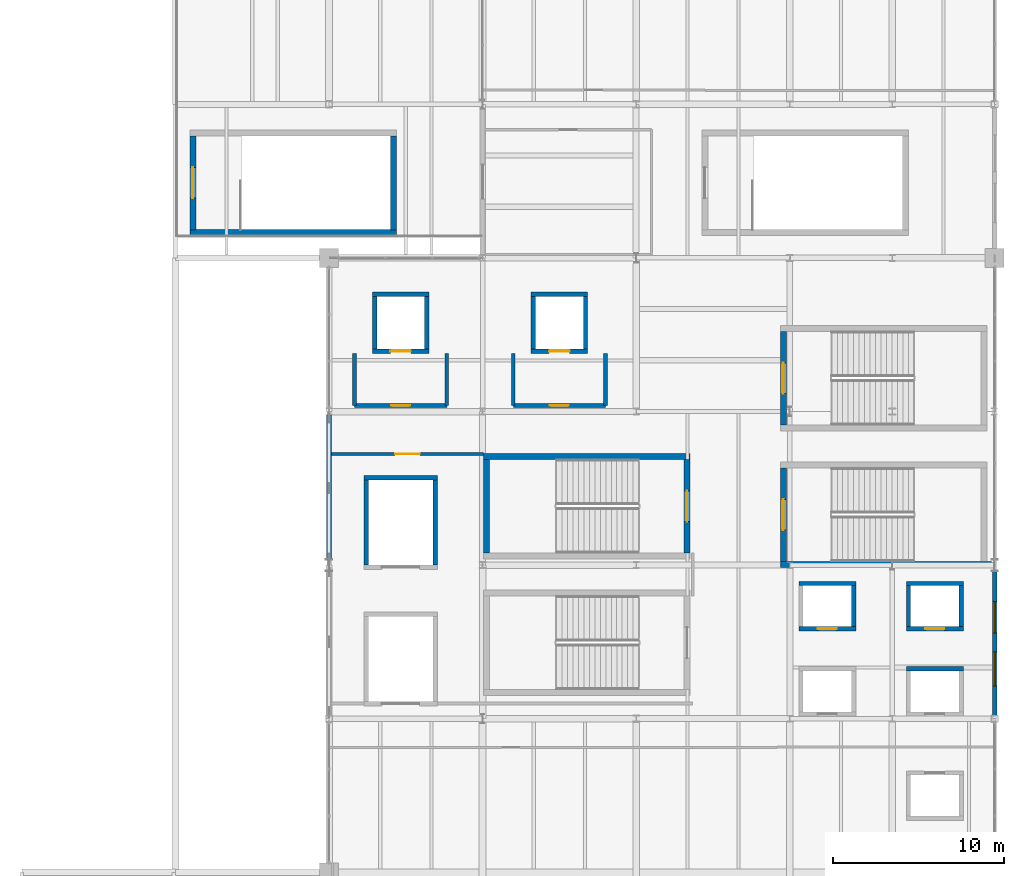
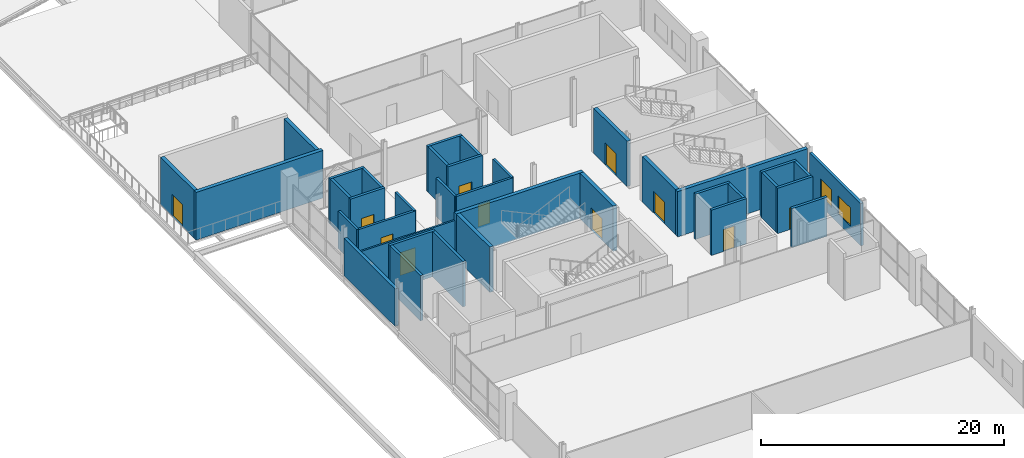
# One storey, part 41 of 50: 37 walls, 11 doors, 2 windows, 13 openings.
"""IFC4 building model written with IfcOpenShell, lengths in metres."""

from ifc_helpers import new_model, si_unit, direction, frame, frame_2d, origin, place, context, subcontext, project, spatial, rectangle, extrude, material, layer, layer_set, type_object, element, fill, save


model = new_model("IFC4")

# Units and contexts
model_context = context("Model", 3, precision=1e-05, world=origin(), true_north=direction((0.0, 1.0)))
body_context = subcontext(model_context, "Body", "Model", "MODEL_VIEW")
ifc_project = project(units=[si_unit("LENGTHUNIT", "METRE"), si_unit("AREAUNIT", "SQUARE_METRE"), si_unit("VOLUMEUNIT", "CUBIC_METRE"), si_unit("PLANEANGLEUNIT", "RADIAN"), si_unit("MASSUNIT", "GRAM", prefix="KILO")], contexts=[model_context])

# Site, building, storey
site_placement = place(None, origin())
site = spatial("IfcSite", under=ifc_project, at=site_placement, CompositionType="ELEMENT")
building_placement = place(site_placement, origin())
building = spatial("IfcBuilding", under=site, at=building_placement, Name="Qamarlyn Nura Convention Centre", CompositionType="ELEMENT")
storey_placement = place(building_placement, frame((0.0, 0.0, 20.39990234375)))
storey = spatial("IfcBuildingStorey", under=building, at=storey_placement, Name="L04", CompositionType="ELEMENT", Elevation=20.39990234375)

# Wall, opening, door
ifc_material_1 = material(Name="Fire-rated acoustic gypsum board and mineral wool EI 120")
ifc_layer_1 = layer(ifc_material_1, 0.219970703125, Name="WT-COMP-220")
ifc_layer_set_1 = layer_set([ifc_layer_1], Name="Fire-rated acoustic gypsum board and mineral wool EI 120")
wall_type_1 = type_object("IfcWallType", Name="WT-COMP-220", PredefinedType="SOLIDWALL", material=ifc_layer_set_1)
wall_1_placement = place(storey_placement, frame((154.5, 72.35009765625, 0.0), z_axis=(0.0, 0.0, 1.0), x_axis=(1.0, 0.0, 0.0)))
wall_1 = element("IfcWall", 1, at=wall_1_placement, inside=storey, type_object=wall_type_1, Name="L04 firefighting lobby barrier wall FFL-03-OPP", PredefinedType="SOLIDWALL", context=body_context, shape_type="SweptSolid", body=[
    extrude(rectangle(XDim=5.39990234375, YDim=0.219970703125, at=frame_2d((2.699951171875, 0.0))), origin(), (0.0, 0.0, 1.0), 3.772216796875),
])
opening_1_placement = place(wall_1_placement, frame((2.139892578125, 0.0, 0.0)))
opening_1 = element("IfcOpeningElement", 2, at=opening_1_placement, cuts=wall_1, Name="Opening DF-122", PredefinedType="OPENING", context=body_context, shape_type="SweptSolid", body=[
    extrude(rectangle(XDim=1.1201171875, YDim=2.199951171875, at=frame_2d((0.56005859375, 1.10009765625))), frame((0.0, 0.1201171875, 0.0), z_axis=(0.0, -1.0, 0.0), x_axis=(1.0, 0.0, 0.0)), (0.0, 0.0, 1.0), 0.239990234375),
])
ifc_material_2 = material(Name="Galvanised fire-rated hollow steel door", Category="steel")
door_type_1 = type_object("IfcDoorType", Name="DR-FFL-1120", OperationType="NOTDEFINED", PredefinedType="DOOR", material=ifc_material_2)
door_1_placement = place(opening_1_placement, origin())
door_1 = element("IfcDoor", 3, at=door_1_placement, inside=storey, type_object=door_type_1, Name="L04 firefighting lobby door FFL-03 (DF-122)", OperationType="SINGLE_SWING_RIGHT", OverallHeight=2.199951171875, OverallWidth=1.1201171875, PredefinedType="DOOR", context=body_context, shape_type="SweptSolid", body=[
    extrude(rectangle(XDim=1.1201171875, YDim=2.199951171875, at=frame_2d((0.56005859375, 1.10009765625))), frame((0.0, 0.02490234375, 0.0), z_axis=(0.0, -1.0, 0.0), x_axis=(1.0, 0.0, 0.0)), (0.0, 0.0, 1.0), 0.050048828125),
])
fill(opening_1, door_1)

# Walls
for number, where, z_axis, x_axis, name in (
    (4, (154.5, 72.35009765625, 0.0), (0.0, 0.0, 1.0), (0.0, 1.0, 0.0), "L04 firefighting lobby barrier wall FFL-03-W"),
    (5, (159.89990234375, 72.35009765625, 0.0), (0.0, 0.0, 1.0), (0.0, 1.0, 0.0), "L04 firefighting lobby barrier wall FFL-03-E"),
):
    element("IfcWall", number, at=place(storey_placement, frame(where, z_axis=z_axis, x_axis=x_axis)), inside=storey, type_object=wall_type_1, Name=name, PredefinedType="SOLIDWALL", context=body_context, shape_type="SweptSolid", body=[
        extrude(rectangle(XDim=3.0498046875, YDim=0.219970703125, at=frame_2d((1.52490234375, 0.0))), origin(), (0.0, 0.0, 1.0), 3.772216796875),
    ])

# Wall, opening, door
wall_2_placement = place(storey_placement, frame((163.800048828125, 72.35009765625, 0.0), z_axis=(0.0, 0.0, 1.0), x_axis=(1.0, 0.0, 0.0)))
wall_2 = element("IfcWall", 6, at=wall_2_placement, inside=storey, type_object=wall_type_1, Name="L04 firefighting lobby barrier wall FFL-04-OPP", PredefinedType="SOLIDWALL", context=body_context, shape_type="SweptSolid", body=[
    extrude(rectangle(XDim=5.39990234375, YDim=0.219970703125, at=frame_2d((2.699951171875, 0.0))), origin(), (0.0, 0.0, 1.0), 3.85009765625),
])
opening_2_placement = place(wall_2_placement, frame((2.139892578125, 0.0, 0.0)))
opening_2 = element("IfcOpeningElement", 7, at=opening_2_placement, cuts=wall_2, Name="Opening DF-129", PredefinedType="OPENING", context=body_context, shape_type="SweptSolid", body=[
    extrude(rectangle(XDim=1.1201171875, YDim=2.199951171875, at=frame_2d((0.56005859375, 1.10009765625))), frame((0.0, 0.1201171875, 0.0), z_axis=(0.0, -1.0, 0.0), x_axis=(1.0, 0.0, 0.0)), (0.0, 0.0, 1.0), 0.239990234375),
])
door_2_placement = place(opening_2_placement, origin())
door_2 = element("IfcDoor", 8, at=door_2_placement, inside=storey, type_object=door_type_1, Name="L04 firefighting lobby door FFL-04 (DF-129)", OperationType="SINGLE_SWING_LEFT", OverallHeight=2.199951171875, OverallWidth=1.1201171875, PredefinedType="DOOR", context=body_context, shape_type="SweptSolid", body=[
    extrude(rectangle(XDim=1.1201171875, YDim=2.199951171875, at=frame_2d((0.56005859375, 1.10009765625))), frame((0.0, 0.02490234375, 0.0), z_axis=(0.0, -1.0, 0.0), x_axis=(1.0, 0.0, 0.0)), (0.0, 0.0, 1.0), 0.050048828125),
])
fill(opening_2, door_2)

# Walls
for number, where, z_axis, x_axis, name in (
    (9, (163.800048828125, 72.35009765625, 0.0), (0.0, 0.0, 1.0), (0.0, 1.0, 0.0), "L04 firefighting lobby barrier wall FFL-04-W"),
    (10, (169.199951171875, 72.35009765625, 0.0), (0.0, 0.0, 1.0), (0.0, 1.0, 0.0), "L04 firefighting lobby barrier wall FFL-04-E"),
):
    element("IfcWall", number, at=place(storey_placement, frame(where, z_axis=z_axis, x_axis=x_axis)), inside=storey, type_object=wall_type_1, Name=name, PredefinedType="SOLIDWALL", context=body_context, shape_type="SweptSolid", body=[
        extrude(rectangle(XDim=3.0498046875, YDim=0.219970703125, at=frame_2d((1.52490234375, 0.0))), origin(), (0.0, 0.0, 1.0), 3.85009765625),
    ])
ifc_material_3 = material(Name="Concrete C50/60", Category="concrete")
ifc_layer_2 = layer(ifc_material_3, 0.35009765625, Name="WT-CORE-350")
ifc_layer_set_2 = layer_set([ifc_layer_2], Name="Concrete C50/60")
wall_type_2 = type_object("IfcWallType", Name="WT-CORE-350", PredefinedType="SHEAR", material=ifc_layer_set_2)
wall_3_placement = place(storey_placement, frame((174.14990234375, 69.375, 0.0), z_axis=(0.0, 0.0, 1.0), x_axis=(-1.0, 0.0, 0.0)))
element("IfcWall", 11, at=wall_3_placement, inside=storey, type_object=wall_type_2, Name="L04 stair core shear wall ST-12-N", PredefinedType="SHEAR", context=body_context, shape_type="SweptSolid", body=[
    extrude(rectangle(XDim=12.099853515625, YDim=0.35009765625, at=frame_2d((6.0498046875, 0.0))), origin(), (0.0, 0.0, 1.0), 4.56005859375),
])
wall_4_placement = place(storey_placement, frame((162.22509765625, 69.199951171875, 0.0), z_axis=(0.0, 0.0, 1.0), x_axis=(0.0, -1.0, 0.0)))
element("IfcWall", 12, at=wall_4_placement, inside=storey, type_object=wall_type_2, Name="L04 stair core shear wall ST-12-W", PredefinedType="SHEAR", context=body_context, shape_type="SweptSolid", body=[
    extrude(rectangle(XDim=5.5, YDim=0.35009765625, at=frame_2d((2.75, 0.0))), origin(), (0.0, 0.0, 1.0), 4.56005859375),
])

# Wall, opening, door
wall_5_placement = place(storey_placement, frame((173.97509765625, 63.699951171875, 0.0), z_axis=(0.0, 0.0, 1.0), x_axis=(0.0, 1.0, 0.0)))
wall_5 = element("IfcWall", 13, at=wall_5_placement, inside=storey, type_object=wall_type_2, Name="L04 stair core shear wall ST-12-E", PredefinedType="SHEAR", context=body_context, shape_type="SweptSolid", body=[
    extrude(rectangle(XDim=5.5, YDim=0.35009765625, at=frame_2d((2.75, 0.0))), origin(), (0.0, 0.0, 1.0), 4.56005859375),
])
opening_3_placement = place(wall_5_placement, frame((1.85009765625, 0.0, 0.0)))
opening_3 = element("IfcOpeningElement", 14, at=opening_3_placement, cuts=wall_5, Name="Opening DS-055", PredefinedType="OPENING", context=body_context, shape_type="SweptSolid", body=[
    extrude(rectangle(XDim=1.800048828125, YDim=2.199951171875, at=frame_2d((0.89990234375, 1.10009765625))), frame((0.0, 0.18505859375, 0.0), z_axis=(0.0, -1.0, 0.0), x_axis=(1.0, 0.0, 0.0)), (0.0, 0.0, 1.0), 0.3701171875),
])
door_type_2 = type_object("IfcDoorType", Name="DR-STAIR-1800", OperationType="DOUBLE_DOOR_SINGLE_SWING", PredefinedType="DOOR", material=ifc_material_2)
door_3_placement = place(opening_3_placement, origin())
door_3 = element("IfcDoor", 15, at=door_3_placement, inside=storey, type_object=door_type_2, Name="L04 exit stair door ST-12 (DS-055)", OperationType="DOUBLE_DOOR_SINGLE_SWING", OverallHeight=2.199951171875, OverallWidth=1.800048828125, PredefinedType="DOOR", context=body_context, shape_type="SweptSolid", body=[
    extrude(rectangle(XDim=1.800048828125, YDim=2.199951171875, at=frame_2d((0.89990234375, 1.10009765625))), frame((0.0, 0.02490234375, 0.0), z_axis=(0.0, -1.0, 0.0), x_axis=(1.0, 0.0, 0.0)), (0.0, 0.0, 1.0), 0.050048828125),
])
fill(opening_3, door_3)

# Wall
wall_6_placement = place(storey_placement, frame((179.449951171875, 63.02490234375, 0.0), z_axis=(0.0, 0.0, 1.0), x_axis=(1.0, 0.0, 0.0)))
element("IfcWall", 16, at=wall_6_placement, inside=storey, type_object=wall_type_2, Name="L04 stair core shear wall ST-13-S", PredefinedType="SHEAR", context=body_context, shape_type="SweptSolid", body=[
    extrude(rectangle(XDim=12.37255859375, YDim=0.35009765625, at=frame_2d((6.186279296875, 0.0))), origin(), (0.0, 0.0, 1.0), 4.56005859375),
])

# Wall, opening, door
wall_7_placement = place(storey_placement, frame((179.625, 68.699951171875, 0.0), z_axis=(0.0, 0.0, 1.0), x_axis=(0.0, -1.0, 0.0)))
wall_7 = element("IfcWall", 17, at=wall_7_placement, inside=storey, type_object=wall_type_2, Name="L04 stair core shear wall ST-13-W", PredefinedType="SHEAR", context=body_context, shape_type="SweptSolid", body=[
    extrude(rectangle(XDim=5.5, YDim=0.35009765625, at=frame_2d((2.75, 0.0))), origin(), (0.0, 0.0, 1.0), 4.56005859375),
])
opening_4_placement = place(wall_7_placement, frame((1.85009765625, 0.0, 0.0)))
opening_4 = element("IfcOpeningElement", 18, at=opening_4_placement, cuts=wall_7, Name="Opening DS-062", PredefinedType="OPENING", context=body_context, shape_type="SweptSolid", body=[
    extrude(rectangle(XDim=1.800048828125, YDim=2.199951171875, at=frame_2d((0.89990234375, 1.10009765625))), frame((0.0, 0.18505859375, 0.0), z_axis=(0.0, -1.0, 0.0), x_axis=(1.0, 0.0, 0.0)), (0.0, 0.0, 1.0), 0.3701171875),
])
door_4_placement = place(opening_4_placement, origin())
door_4 = element("IfcDoor", 19, at=door_4_placement, inside=storey, type_object=door_type_2, Name="L04 exit stair door ST-13 (DS-062)", OperationType="DOUBLE_DOOR_SINGLE_SWING", OverallHeight=2.199951171875, OverallWidth=1.800048828125, PredefinedType="DOOR", context=body_context, shape_type="SweptSolid", body=[
    extrude(rectangle(XDim=1.800048828125, YDim=2.199951171875, at=frame_2d((0.89990234375, 1.10009765625))), frame((0.0, 0.02490234375, 0.0), z_axis=(0.0, -1.0, 0.0), x_axis=(1.0, 0.0, 0.0)), (0.0, 0.0, 1.0), 0.050048828125),
])
fill(opening_4, door_4)

wall_8_placement = place(storey_placement, frame((179.625, 76.699951171875, 0.0), z_axis=(0.0, 0.0, 1.0), x_axis=(0.0, -1.0, 0.0)))
wall_8 = element("IfcWall", 20, at=wall_8_placement, inside=storey, type_object=wall_type_2, Name="L04 stair core shear wall ST-14-W", PredefinedType="SHEAR", context=body_context, shape_type="SweptSolid", body=[
    extrude(rectangle(XDim=5.5, YDim=0.35009765625, at=frame_2d((2.75, 0.0))), origin(), (0.0, 0.0, 1.0), 4.56005859375),
])
opening_5_placement = place(wall_8_placement, frame((1.85009765625, 0.0, 0.0)))
opening_5 = element("IfcOpeningElement", 21, at=opening_5_placement, cuts=wall_8, Name="Opening DS-069", PredefinedType="OPENING", context=body_context, shape_type="SweptSolid", body=[
    extrude(rectangle(XDim=1.800048828125, YDim=2.199951171875, at=frame_2d((0.89990234375, 1.10009765625))), frame((0.0, 0.18505859375, 0.0), z_axis=(0.0, -1.0, 0.0), x_axis=(1.0, 0.0, 0.0)), (0.0, 0.0, 1.0), 0.3701171875),
])
door_5_placement = place(opening_5_placement, origin())
door_5 = element("IfcDoor", 22, at=door_5_placement, inside=storey, type_object=door_type_2, Name="L04 exit stair door ST-14 (DS-069)", OperationType="DOUBLE_DOOR_SINGLE_SWING", OverallHeight=2.199951171875, OverallWidth=1.800048828125, PredefinedType="DOOR", context=body_context, shape_type="SweptSolid", body=[
    extrude(rectangle(XDim=1.800048828125, YDim=2.199951171875, at=frame_2d((0.89990234375, 1.10009765625))), frame((0.0, 0.02490234375, 0.0), z_axis=(0.0, -1.0, 0.0), x_axis=(1.0, 0.0, 0.0)), (0.0, 0.0, 1.0), 0.050048828125),
])
fill(opening_5, door_5)

# Wall
wall_9_placement = place(storey_placement, frame((144.85009765625, 82.47509765625, 0.0), z_axis=(0.0, 0.0, 1.0), x_axis=(1.0, 0.0, 0.0)))
element("IfcWall", 23, at=wall_9_placement, inside=storey, type_object=wall_type_2, Name="L04 stair core shear wall ST-15-S", PredefinedType="SHEAR", context=body_context, shape_type="SweptSolid", body=[
    extrude(rectangle(XDim=12.099853515625, YDim=0.35009765625, at=frame_2d((6.0498046875, 0.0))), origin(), (0.0, 0.0, 1.0), 4.800048828125),
])

# Wall, opening, door
wall_10_placement = place(storey_placement, frame((145.02490234375, 88.14990234375, 0.0), z_axis=(0.0, 0.0, 1.0), x_axis=(0.0, -1.0, 0.0)))
wall_10 = element("IfcWall", 24, at=wall_10_placement, inside=storey, type_object=wall_type_2, Name="L04 stair core shear wall ST-15-W", PredefinedType="SHEAR", context=body_context, shape_type="SweptSolid", body=[
    extrude(rectangle(XDim=5.5, YDim=0.35009765625, at=frame_2d((2.75, 0.0))), origin(), (0.0, 0.0, 1.0), 4.800048828125),
])
opening_6_placement = place(wall_10_placement, frame((1.85009765625, 0.0, 0.0)))
opening_6 = element("IfcOpeningElement", 25, at=opening_6_placement, cuts=wall_10, Name="Opening DS-076", PredefinedType="OPENING", context=body_context, shape_type="SweptSolid", body=[
    extrude(rectangle(XDim=1.800048828125, YDim=2.199951171875, at=frame_2d((0.89990234375, 1.10009765625))), frame((0.0, 0.18505859375, 0.0), z_axis=(0.0, -1.0, 0.0), x_axis=(1.0, 0.0, 0.0)), (0.0, 0.0, 1.0), 0.3701171875),
])
door_6_placement = place(opening_6_placement, origin())
door_6 = element("IfcDoor", 26, at=door_6_placement, inside=storey, type_object=door_type_2, Name="L04 exit stair door ST-15 (DS-076)", OperationType="DOUBLE_DOOR_SINGLE_SWING", OverallHeight=2.199951171875, OverallWidth=1.800048828125, PredefinedType="DOOR", context=body_context, shape_type="SweptSolid", body=[
    extrude(rectangle(XDim=1.800048828125, YDim=2.199951171875, at=frame_2d((0.89990234375, 1.10009765625))), frame((0.0, 0.02490234375, 0.0), z_axis=(0.0, -1.0, 0.0), x_axis=(1.0, 0.0, 0.0)), (0.0, 0.0, 1.0), 0.050048828125),
])
fill(opening_6, door_6)

# Wall
wall_11_placement = place(storey_placement, frame((156.77490234375, 82.64990234375, 0.0), z_axis=(0.0, 0.0, 1.0), x_axis=(0.0, 1.0, 0.0)))
element("IfcWall", 27, at=wall_11_placement, inside=storey, type_object=wall_type_2, Name="L04 stair core shear wall ST-15-E", PredefinedType="SHEAR", context=body_context, shape_type="SweptSolid", body=[
    extrude(rectangle(XDim=5.5, YDim=0.35009765625, at=frame_2d((2.75, 0.0))), origin(), (0.0, 0.0, 1.0), 4.56005859375),
])

# Wall, openings, windows
ifc_material_4 = material(Name="Concrete C40/50", Category="concrete")
ifc_layer_3 = layer(ifc_material_4, 0.260009765625, Name="WT-EXT-260")
ifc_layer_set_3 = layer_set([ifc_layer_3], Name="Concrete C40/50")
wall_type_3 = type_object("IfcWallType", Name="WT-EXT-260", PredefinedType="SOLIDWALL", material=ifc_layer_set_3)
wall_12_placement = place(storey_placement, frame((192.0, 62.652587890625, 0.0), z_axis=(0.0, 0.0, 1.0), x_axis=(0.0, -1.0, 0.0)))
wall_12 = element("IfcWall", 28, at=wall_12_placement, inside=storey, type_object=wall_type_3, Name="L04 exterior facade wall WEXT-L04-1920-627-1920-542", PredefinedType="SOLIDWALL", context=body_context, shape_type="SweptSolid", body=[
    extrude(rectangle(XDim=8.45263671875, YDim=0.260009765625, at=frame_2d((4.226318359375, 0.0))), origin(), (0.0, 0.0, 1.0), 4.2451171875),
])
opening_7_placement = place(wall_12_placement, frame((1.7880859375, 0.0, 0.949951171875)))
opening_7 = element("IfcOpeningElement", 29, at=opening_7_placement, cuts=wall_12, Name="Opening WN04", PredefinedType="OPENING", context=body_context, shape_type="SweptSolid", body=[
    extrude(rectangle(XDim=1.85009765625, YDim=1.800048828125, at=frame_2d((0.925048828125, 0.89990234375))), frame((0.0, 0.14013671875, 0.0), z_axis=(0.0, -1.0, 0.0), x_axis=(1.0, 0.0, 0.0)), (0.0, 0.0, 1.0), 0.280029296875),
])
opening_8_placement = place(wall_12_placement, frame((4.739501953125, 0.0, 0.949951171875)))
opening_8 = element("IfcOpeningElement", 30, at=opening_8_placement, cuts=wall_12, Name="Opening WN05", PredefinedType="OPENING", context=body_context, shape_type="SweptSolid", body=[
    extrude(rectangle(XDim=2.0, YDim=1.85009765625, at=frame_2d((1.0, 0.925048828125))), frame((0.0, 0.14013671875, 0.0), z_axis=(0.0, -1.0, 0.0), x_axis=(1.0, 0.0, 0.0)), (0.0, 0.0, 1.0), 0.280029296875),
])
ifc_material_5 = material(Name="Double-silver low-E insulated glass", Category="glass")
window_type_1 = type_object("IfcWindowType", Name="WIN-SOL-04", PartitioningType="SINGLE_PANEL", PredefinedType="WINDOW", material=ifc_material_5)
window_1_placement = place(opening_7_placement, origin())
window_1 = element("IfcWindow", 31, at=window_1_placement, inside=storey, type_object=window_type_1, Name="L04 solar-control window 052", OverallHeight=1.800048828125, OverallWidth=1.85009765625, PartitioningType="SINGLE_PANEL", PredefinedType="WINDOW", context=body_context, shape_type="SweptSolid", body=[
    extrude(rectangle(XDim=1.85009765625, YDim=1.800048828125, at=frame_2d((0.925048828125, 0.89990234375))), frame((0.0, 0.030029296875, 0.0), z_axis=(0.0, -1.0, 0.0), x_axis=(1.0, 0.0, 0.0)), (0.0, 0.0, 1.0), 0.06005859375),
])
fill(opening_7, window_1)
window_type_2 = type_object("IfcWindowType", Name="WIN-SOL-05", PartitioningType="SINGLE_PANEL", PredefinedType="WINDOW", material=ifc_material_5)
window_2_placement = place(opening_8_placement, origin())
window_2 = element("IfcWindow", 32, at=window_2_placement, inside=storey, type_object=window_type_2, Name="L04 solar-control window 053", OverallHeight=1.85009765625, OverallWidth=2.0, PartitioningType="SINGLE_PANEL", PredefinedType="WINDOW", context=body_context, shape_type="SweptSolid", body=[
    extrude(rectangle(XDim=2.0, YDim=1.85009765625, at=frame_2d((1.0, 0.925048828125))), frame((0.0, 0.030029296875, 0.0), z_axis=(0.0, -1.0, 0.0), x_axis=(1.0, 0.0, 0.0)), (0.0, 0.0, 1.0), 0.06005859375),
])
fill(opening_8, window_2)

# Wall
ifc_material_6 = material(Name="Concrete C40/50 with UAE coastal limestone stone facing", Category="masonry")
ifc_layer_4 = layer(ifc_material_6, 0.300048828125, Name="WT-LIME-300")
ifc_layer_set_4 = layer_set([ifc_layer_4], Name="Concrete C40/50 with UAE coastal limestone stone facing")
wall_type_4 = type_object("IfcWallType", Name="WT-LIME-300", PredefinedType="SOLIDWALL", material=ifc_layer_set_4)
wall_13_placement = place(storey_placement, frame((153.0, 63.347412109375, 0.0), z_axis=(0.0, 0.0, 1.0), x_axis=(0.0, 1.0, 0.0)))
element("IfcWall", 33, at=wall_13_placement, inside=storey, type_object=wall_type_4, Name="L04 exterior facade wall WEXT-L04-1530-633-1530-718", PredefinedType="SOLIDWALL", context=body_context, shape_type="SweptSolid", body=[
    extrude(rectangle(XDim=8.440185546875, YDim=0.300048828125, at=frame_2d((4.22021484375, 0.0))), origin(), (0.0, 0.0, 1.0), 3.772216796875),
])

# Wall, opening, door
ifc_material_7 = material(Name="Fire-rated acoustic gypsum board EI 60")
ifc_layer_5 = layer(ifc_material_7, 0.159912109375, Name="WT-PART-160")
ifc_layer_set_5 = layer_set([ifc_layer_5], Name="Fire-rated acoustic gypsum board EI 60")
wall_type_5 = type_object("IfcWallType", Name="WT-PART-160", PredefinedType="PARTITIONING", material=ifc_layer_set_5)
wall_14_placement = place(storey_placement, frame((153.14990234375, 69.510009765625, 0.0), z_axis=(0.0, 0.0, 1.0), x_axis=(1.0, 0.0, 0.0)))
wall_14 = element("IfcWall", 34, at=wall_14_placement, inside=storey, type_object=wall_type_5, Name="L04 interior partition L04-PAN-EXEC-1-1", PredefinedType="PARTITIONING", context=body_context, shape_type="SweptSolid", body=[
    extrude(rectangle(XDim=8.900146484375, YDim=0.159912109375, at=frame_2d((4.4501953125, 0.0))), origin(), (0.0, 0.0, 1.0), 3.772216796875),
])
opening_9_placement = place(wall_14_placement, frame((3.72509765625, 0.0, 0.0)))
opening_9 = element("IfcOpeningElement", 35, at=opening_9_placement, cuts=wall_14, Name="Opening D-L04-210", PredefinedType="OPENING", context=body_context, shape_type="SweptSolid", body=[
    extrude(rectangle(XDim=1.449951171875, YDim=2.300048828125, at=frame_2d((0.72509765625, 1.14990234375))), frame((0.0, 0.08984375, 0.0), z_axis=(0.0, -1.0, 0.0), x_axis=(1.0, 0.0, 0.0)), (0.0, 0.0, 1.0), 0.179931640625),
])
ifc_material_8 = material(Name="Acoustic walnut timber leaf", Category="wood")
door_type_3 = type_object("IfcDoorType", Name="DR-CONF-1450", OperationType="DOUBLE_DOOR_SINGLE_SWING", PredefinedType="DOOR", material=ifc_material_8)
door_7_placement = place(opening_9_placement, origin())
door_7 = element("IfcDoor", 36, at=door_7_placement, inside=storey, type_object=door_type_3, Name="L04 Executive Catering Pantry door D-L04-210", OperationType="DOUBLE_DOOR_SINGLE_SWING", OverallHeight=2.300048828125, OverallWidth=1.449951171875, PredefinedType="DOOR", context=body_context, shape_type="SweptSolid", body=[
    extrude(rectangle(XDim=1.449951171875, YDim=2.300048828125, at=frame_2d((0.72509765625, 1.14990234375))), frame((0.0, 0.02490234375, 0.0), z_axis=(0.0, -1.0, 0.0), x_axis=(1.0, 0.0, 0.0)), (0.0, 0.0, 1.0), 0.050048828125),
])
fill(opening_9, door_7)

ifc_layer_6 = layer(ifc_material_1, 0.25, Name="WT-SHAFT-250")
ifc_layer_set_6 = layer_set([ifc_layer_6], Name="Fire-rated acoustic gypsum board and mineral wool EI 120")
wall_type_6 = type_object("IfcWallType", Name="WT-SHAFT-250", PredefinedType="SOLIDWALL", material=ifc_layer_set_6)
wall_15_placement = place(storey_placement, frame((155.550048828125, 75.52490234375, 0.0), z_axis=(0.0, 0.0, 1.0), x_axis=(1.0, 0.0, 0.0)))
wall_15 = element("IfcWall", 37, at=wall_15_placement, inside=storey, type_object=wall_type_6, Name="L04 lift shaft enclosure wall FFL-03 -y", PredefinedType="SOLIDWALL", context=body_context, shape_type="SweptSolid", body=[
    extrude(rectangle(XDim=3.300048828125, YDim=0.25, at=frame_2d((1.64990234375, 0.0))), origin(), (0.0, 0.0, 1.0), 4.56005859375),
])
opening_10_placement = place(wall_15_placement, frame((1.050048828125, 0.0, 0.0)))
opening_10 = element("IfcOpeningElement", 38, at=opening_10_placement, cuts=wall_15, Name="Opening LD-FFL-03-L04", PredefinedType="OPENING", context=body_context, shape_type="SweptSolid", body=[
    extrude(rectangle(XDim=1.199951171875, YDim=2.25, at=frame_2d((0.60009765625, 1.125))), frame((0.0, 0.135009765625, 0.0), z_axis=(0.0, -1.0, 0.0), x_axis=(1.0, 0.0, 0.0)), (0.0, 0.0, 1.0), 0.27001953125),
])
ifc_material_9 = material(Name="Marine Grade 316 stainless steel", Category="steel")
door_type_4 = type_object("IfcDoorType", Name="DR-LD-FFL", OperationType="DOUBLE_DOOR_SLIDING", PredefinedType="DOOR", material=ifc_material_9)
door_8_placement = place(opening_10_placement, origin())
door_8 = element("IfcDoor", 39, at=door_8_placement, inside=storey, type_object=door_type_4, Name="Lift landing door LD-FFL-03-L04", OperationType="DOUBLE_DOOR_SLIDING", OverallHeight=2.25, OverallWidth=1.199951171875, PredefinedType="DOOR", context=body_context, shape_type="SweptSolid", body=[
    extrude(rectangle(XDim=1.199951171875, YDim=2.25, at=frame_2d((0.60009765625, 1.125))), frame((0.0, 0.02490234375, 0.0), z_axis=(0.0, -1.0, 0.0), x_axis=(1.0, 0.0, 0.0)), (0.0, 0.0, 1.0), 0.050048828125),
])
fill(opening_10, door_8)

# Walls
wall_16_placement = place(storey_placement, frame((158.85009765625, 78.875, 0.0), z_axis=(0.0, 0.0, 1.0), x_axis=(-1.0, 0.0, 0.0)))
element("IfcWall", 40, at=wall_16_placement, inside=storey, type_object=wall_type_6, Name="L04 lift shaft enclosure wall FFL-03 +y", PredefinedType="SOLIDWALL", context=body_context, shape_type="SweptSolid", body=[
    extrude(rectangle(XDim=3.300048828125, YDim=0.25, at=frame_2d((1.64990234375, 0.0))), origin(), (0.0, 0.0, 1.0), 4.56005859375),
])
for number, where, z_axis, x_axis, name in (
    (41, (155.675048828125, 78.75, 0.0), (0.0, 0.0, 1.0), (0.0, -1.0, 0.0), "L04 lift shaft enclosure wall FFL-03 -x"),
    (42, (158.72509765625, 75.64990234375, 0.0), (0.0, 0.0, 1.0), (0.0, 1.0, 0.0), "L04 lift shaft enclosure wall FFL-03 +x"),
):
    element("IfcWall", number, at=place(storey_placement, frame(where, z_axis=z_axis, x_axis=x_axis)), inside=storey, type_object=wall_type_6, Name=name, PredefinedType="SOLIDWALL", context=body_context, shape_type="SweptSolid", body=[
        extrude(rectangle(XDim=3.10009765625, YDim=0.25, at=frame_2d((1.550048828125, 0.0))), origin(), (0.0, 0.0, 1.0), 4.56005859375),
    ])

# Wall, opening, door
wall_17_placement = place(storey_placement, frame((164.85009765625, 75.52490234375, 0.0), z_axis=(0.0, 0.0, 1.0), x_axis=(1.0, 0.0, 0.0)))
wall_17 = element("IfcWall", 43, at=wall_17_placement, inside=storey, type_object=wall_type_6, Name="L04 lift shaft enclosure wall FFL-04 -y", PredefinedType="SOLIDWALL", context=body_context, shape_type="SweptSolid", body=[
    extrude(rectangle(XDim=3.2998046875, YDim=0.25, at=frame_2d((1.64990234375, 0.0))), origin(), (0.0, 0.0, 1.0), 4.56005859375),
])
opening_11_placement = place(wall_17_placement, frame((1.050048828125, 0.0, 0.0)))
opening_11 = element("IfcOpeningElement", 44, at=opening_11_placement, cuts=wall_17, Name="Opening LD-FFL-04-L04", PredefinedType="OPENING", context=body_context, shape_type="SweptSolid", body=[
    extrude(rectangle(XDim=1.199951171875, YDim=2.25, at=frame_2d((0.60009765625, 1.125))), frame((0.0, 0.135009765625, 0.0), z_axis=(0.0, -1.0, 0.0), x_axis=(1.0, 0.0, 0.0)), (0.0, 0.0, 1.0), 0.27001953125),
])
door_9_placement = place(opening_11_placement, origin())
door_9 = element("IfcDoor", 45, at=door_9_placement, inside=storey, type_object=door_type_4, Name="Lift landing door LD-FFL-04-L04", OperationType="DOUBLE_DOOR_SLIDING", OverallHeight=2.25, OverallWidth=1.199951171875, PredefinedType="DOOR", context=body_context, shape_type="SweptSolid", body=[
    extrude(rectangle(XDim=1.199951171875, YDim=2.25, at=frame_2d((0.60009765625, 1.125))), frame((0.0, 0.02490234375, 0.0), z_axis=(0.0, -1.0, 0.0), x_axis=(1.0, 0.0, 0.0)), (0.0, 0.0, 1.0), 0.050048828125),
])
fill(opening_11, door_9)

# Walls
wall_18_placement = place(storey_placement, frame((168.14990234375, 78.875, 0.0), z_axis=(0.0, 0.0, 1.0), x_axis=(-1.0, 0.0, 0.0)))
element("IfcWall", 46, at=wall_18_placement, inside=storey, type_object=wall_type_6, Name="L04 lift shaft enclosure wall FFL-04 +y", PredefinedType="SOLIDWALL", context=body_context, shape_type="SweptSolid", body=[
    extrude(rectangle(XDim=3.2998046875, YDim=0.25, at=frame_2d((1.64990234375, 0.0))), origin(), (0.0, 0.0, 1.0), 4.56005859375),
])
for number, where, z_axis, x_axis, name in (
    (47, (164.97509765625, 78.75, 0.0), (0.0, 0.0, 1.0), (0.0, -1.0, 0.0), "L04 lift shaft enclosure wall FFL-04 -x"),
    (48, (168.02490234375, 75.64990234375, 0.0), (0.0, 0.0, 1.0), (0.0, 1.0, 0.0), "L04 lift shaft enclosure wall FFL-04 +x"),
):
    element("IfcWall", number, at=place(storey_placement, frame(where, z_axis=z_axis, x_axis=x_axis)), inside=storey, type_object=wall_type_6, Name=name, PredefinedType="SOLIDWALL", context=body_context, shape_type="SweptSolid", body=[
        extrude(rectangle(XDim=3.10009765625, YDim=0.25, at=frame_2d((1.550048828125, 0.0))), origin(), (0.0, 0.0, 1.0), 4.56005859375),
    ])

# Wall, opening, door
wall_19_placement = place(storey_placement, frame((180.52490234375, 59.27490234375, 0.0), z_axis=(0.0, 0.0, 1.0), x_axis=(1.0, 0.0, 0.0)))
wall_19 = element("IfcWall", 49, at=wall_19_placement, inside=storey, type_object=wall_type_6, Name="L04 lift shaft enclosure wall PL-01 -y", PredefinedType="SOLIDWALL", context=body_context, shape_type="SweptSolid", body=[
    extrude(rectangle(XDim=3.35009765625, YDim=0.25, at=frame_2d((1.675048828125, 0.0))), origin(), (0.0, 0.0, 1.0), 4.56005859375),
])
opening_12_placement = place(wall_19_placement, frame((1.125, 0.0, 0.0)))
opening_12 = element("IfcOpeningElement", 50, at=opening_12_placement, cuts=wall_19, Name="Opening LD-PL-01-L04", PredefinedType="OPENING", context=body_context, shape_type="SweptSolid", body=[
    extrude(rectangle(XDim=1.10009765625, YDim=2.199951171875, at=frame_2d((0.550048828125, 1.10009765625))), frame((0.0, 0.135009765625, 0.0), z_axis=(0.0, -1.0, 0.0), x_axis=(1.0, 0.0, 0.0)), (0.0, 0.0, 1.0), 0.27001953125),
])
door_type_5 = type_object("IfcDoorType", Name="DR-LD-PAX", OperationType="DOUBLE_DOOR_SLIDING", PredefinedType="DOOR", material=ifc_material_9)
door_10_placement = place(opening_12_placement, origin())
door_10 = element("IfcDoor", 51, at=door_10_placement, inside=storey, type_object=door_type_5, Name="Lift landing door LD-PL-01-L04", OperationType="DOUBLE_DOOR_SLIDING", OverallHeight=2.199951171875, OverallWidth=1.10009765625, PredefinedType="DOOR", context=body_context, shape_type="SweptSolid", body=[
    extrude(rectangle(XDim=1.10009765625, YDim=2.199951171875, at=frame_2d((0.550048828125, 1.10009765625))), frame((0.0, 0.02490234375, 0.0), z_axis=(0.0, -1.0, 0.0), x_axis=(1.0, 0.0, 0.0)), (0.0, 0.0, 1.0), 0.050048828125),
])
fill(opening_12, door_10)

# Walls
wall_20_placement = place(storey_placement, frame((183.875, 61.925048828125, 0.0), z_axis=(0.0, 0.0, 1.0), x_axis=(-1.0, 0.0, 0.0)))
element("IfcWall", 52, at=wall_20_placement, inside=storey, type_object=wall_type_6, Name="L04 lift shaft enclosure wall PL-01 +y", PredefinedType="SOLIDWALL", context=body_context, shape_type="SweptSolid", body=[
    extrude(rectangle(XDim=3.35009765625, YDim=0.25, at=frame_2d((1.675048828125, 0.0))), origin(), (0.0, 0.0, 1.0), 4.56005859375),
])
wall_21_placement = place(storey_placement, frame((183.75, 59.39990234375, 0.0), z_axis=(0.0, 0.0, 1.0), x_axis=(0.0, 1.0, 0.0)))
element("IfcWall", 53, at=wall_21_placement, inside=storey, type_object=wall_type_6, Name="L04 lift shaft enclosure wall PL-01 +x", PredefinedType="SOLIDWALL", context=body_context, shape_type="SweptSolid", body=[
    extrude(rectangle(XDim=2.400146484375, YDim=0.25, at=frame_2d((1.2001953125, 0.0))), origin(), (0.0, 0.0, 1.0), 4.56005859375),
])

# Wall, opening, door
wall_22_placement = place(storey_placement, frame((186.824951171875, 59.27490234375, 0.0), z_axis=(0.0, 0.0, 1.0), x_axis=(1.0, 0.0, 0.0)))
wall_22 = element("IfcWall", 54, at=wall_22_placement, inside=storey, type_object=wall_type_6, Name="L04 lift shaft enclosure wall PL-02 -y", PredefinedType="SOLIDWALL", context=body_context, shape_type="SweptSolid", body=[
    extrude(rectangle(XDim=3.35009765625, YDim=0.25, at=frame_2d((1.675048828125, 0.0))), origin(), (0.0, 0.0, 1.0), 4.56005859375),
])
opening_13_placement = place(wall_22_placement, frame((1.125, 0.0, 0.0)))
opening_13 = element("IfcOpeningElement", 55, at=opening_13_placement, cuts=wall_22, Name="Opening LD-PL-02-L04", PredefinedType="OPENING", context=body_context, shape_type="SweptSolid", body=[
    extrude(rectangle(XDim=1.10009765625, YDim=2.199951171875, at=frame_2d((0.550048828125, 1.10009765625))), frame((0.0, 0.135009765625, 0.0), z_axis=(0.0, -1.0, 0.0), x_axis=(1.0, 0.0, 0.0)), (0.0, 0.0, 1.0), 0.27001953125),
])
door_11_placement = place(opening_13_placement, origin())
door_11 = element("IfcDoor", 56, at=door_11_placement, inside=storey, type_object=door_type_5, Name="Lift landing door LD-PL-02-L04", OperationType="DOUBLE_DOOR_SLIDING", OverallHeight=2.199951171875, OverallWidth=1.10009765625, PredefinedType="DOOR", context=body_context, shape_type="SweptSolid", body=[
    extrude(rectangle(XDim=1.10009765625, YDim=2.199951171875, at=frame_2d((0.550048828125, 1.10009765625))), frame((0.0, 0.02490234375, 0.0), z_axis=(0.0, -1.0, 0.0), x_axis=(1.0, 0.0, 0.0)), (0.0, 0.0, 1.0), 0.050048828125),
])
fill(opening_13, door_11)

# Walls
wall_23_placement = place(storey_placement, frame((190.175048828125, 61.925048828125, 0.0), z_axis=(0.0, 0.0, 1.0), x_axis=(-1.0, 0.0, 0.0)))
element("IfcWall", 57, at=wall_23_placement, inside=storey, type_object=wall_type_6, Name="L04 lift shaft enclosure wall PL-02 +y", PredefinedType="SOLIDWALL", context=body_context, shape_type="SweptSolid", body=[
    extrude(rectangle(XDim=3.35009765625, YDim=0.25, at=frame_2d((1.675048828125, 0.0))), origin(), (0.0, 0.0, 1.0), 4.56005859375),
])
for number, where, z_axis, x_axis, name in (
    (58, (186.949951171875, 61.800048828125, 0.0), (0.0, 0.0, 1.0), (0.0, -1.0, 0.0), "L04 lift shaft enclosure wall PL-02 -x"),
    (59, (190.050048828125, 59.39990234375, 0.0), (0.0, 0.0, 1.0), (0.0, 1.0, 0.0), "L04 lift shaft enclosure wall PL-02 +x"),
):
    element("IfcWall", number, at=place(storey_placement, frame(where, z_axis=z_axis, x_axis=x_axis)), inside=storey, type_object=wall_type_6, Name=name, PredefinedType="SOLIDWALL", context=body_context, shape_type="SweptSolid", body=[
        extrude(rectangle(XDim=2.400146484375, YDim=0.25, at=frame_2d((1.2001953125, 0.0))), origin(), (0.0, 0.0, 1.0), 4.56005859375),
    ])
wall_24_placement = place(storey_placement, frame((190.175048828125, 56.925048828125, 0.0), z_axis=(0.0, 0.0, 1.0), x_axis=(-1.0, 0.0, 0.0)))
element("IfcWall", 60, at=wall_24_placement, inside=storey, type_object=wall_type_6, Name="L04 lift shaft enclosure wall PL-04 +y", PredefinedType="SOLIDWALL", context=body_context, shape_type="SweptSolid", body=[
    extrude(rectangle(XDim=3.35009765625, YDim=0.25, at=frame_2d((1.675048828125, 0.0))), origin(), (0.0, 0.0, 1.0), 3.93701171875),
])
wall_25_placement = place(storey_placement, frame((159.35009765625, 68.125, 0.0), z_axis=(0.0, 0.0, 1.0), x_axis=(-1.0, 0.0, 0.0)))
element("IfcWall", 61, at=wall_25_placement, inside=storey, type_object=wall_type_6, Name="L04 lift shaft enclosure wall FL-04 +y", PredefinedType="SOLIDWALL", context=body_context, shape_type="SweptSolid", body=[
    extrude(rectangle(XDim=4.300048828125, YDim=0.25, at=frame_2d((2.14990234375, 0.0))), origin(), (0.0, 0.0, 1.0), 4.56005859375),
])
for number, where, z_axis, x_axis, name in (
    (62, (155.175048828125, 68.0, 0.0), (0.0, 0.0, 1.0), (0.0, -1.0, 0.0), "L04 lift shaft enclosure wall FL-04 -x"),
    (63, (159.22509765625, 63.0, 0.0), (0.0, 0.0, 1.0), (0.0, 1.0, 0.0), "L04 lift shaft enclosure wall FL-04 +x"),
):
    element("IfcWall", number, at=place(storey_placement, frame(where, z_axis=z_axis, x_axis=x_axis)), inside=storey, type_object=wall_type_6, Name=name, PredefinedType="SOLIDWALL", context=body_context, shape_type="SweptSolid", body=[
        extrude(rectangle(XDim=5.0, YDim=0.25, at=frame_2d((2.5, 0.0))), origin(), (0.0, 0.0, 1.0), 4.56005859375),
    ])

save(model, "model.ifc")
